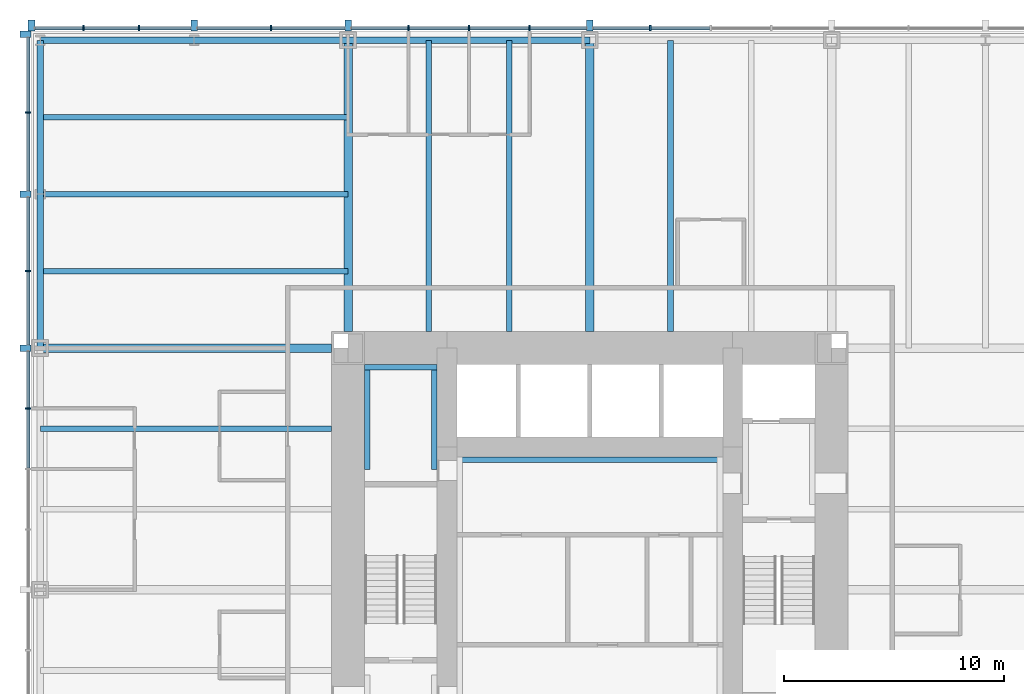
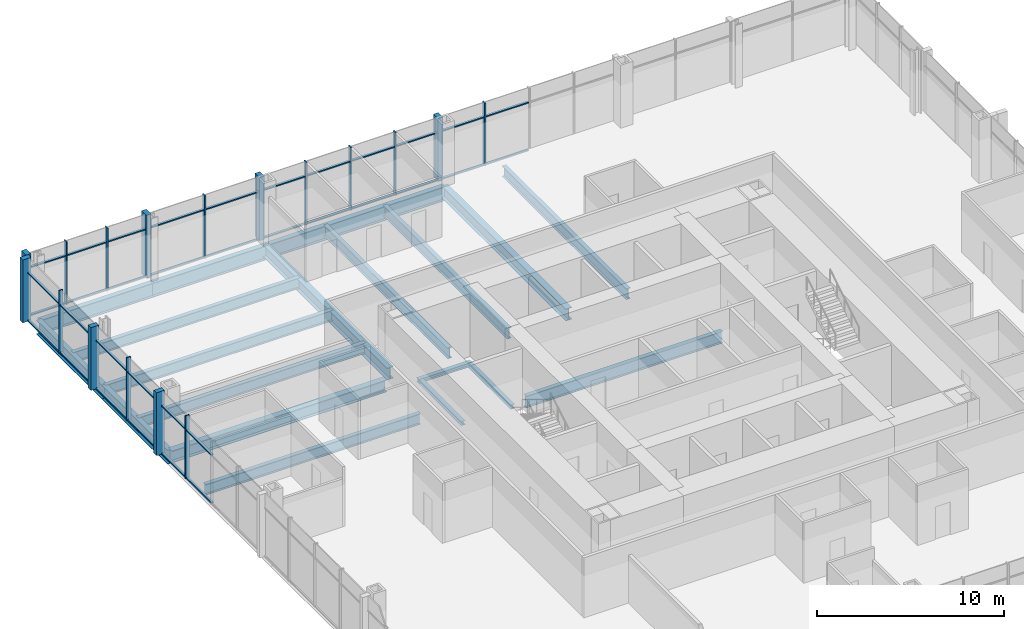
# One storey, part 5 of 12: 51 members, 19 beams, 2 elements without a shape of their own.
"""IFC4 building model written with IfcOpenShell, lengths in metres."""

from ifc_helpers import new_model, si_unit, direction, frame, origin, origin_2d, place, context, subcontext, project, spatial, rectangle, i_section, extrude, material, material_profile, profile_set, type_object, element, aggregate, save


model = new_model("IFC4")

# Units and contexts
model_context = context("Model", 3, precision=1e-05, world=origin(), true_north=direction((0.0, 1.0)))
body_context = subcontext(model_context, "Body", "Model", "MODEL_VIEW")
ifc_project = project(units=[si_unit("LENGTHUNIT", "METRE"), si_unit("AREAUNIT", "SQUARE_METRE"), si_unit("VOLUMEUNIT", "CUBIC_METRE"), si_unit("PLANEANGLEUNIT", "RADIAN"), si_unit("MASSUNIT", "GRAM", prefix="KILO")], contexts=[model_context])

# Site, building, storey
site_placement = place(None, origin())
site = spatial("IfcSite", under=ifc_project, at=site_placement, CompositionType="ELEMENT")
building_placement = place(site_placement, origin())
building = spatial("IfcBuilding", under=site, at=building_placement, Name="Trevanion Tower", CompositionType="ELEMENT")
storey_placement = place(building_placement, frame((0.0, 0.0, 32.39990234375)))
storey = spatial("IfcBuildingStorey", under=building, at=storey_placement, Name="L07", CompositionType="ELEMENT", Elevation=32.39990234375)

# Beams
ifc_material_1 = material(Name="Steel ASTM A992 Grade 50", Category="steel")
ifc_material_profile_1 = material_profile(ifc_material_1, i_section(OverallWidth=0.25390625, OverallDepth=0.700927734375, WebThickness=0.015380859375, FlangeThickness=0.02783203125, at=origin_2d()), Name="W27X129")
ifc_profile_set_1 = profile_set([ifc_material_profile_1], Name="Steel ASTM A992 Grade 50")
beam_type_1 = type_object("IfcBeamType", Name="B3 W27X129", PredefinedType="BEAM", material=ifc_profile_set_1)
for number, where, z_axis, x_axis, name in (
    (1, (3.666748046875, 11.75, -0.540283203125), (0.0, 1.0, 0.0), (-1.0, 0.0, 0.0), "B3 L07"),
    (2, (-3.666748046875, 11.75, -0.540283203125), (0.0, 1.0, 0.0), (-1.0, 0.0, 0.0), "B3 L07"),
    (3, (-7.333251953125, 11.75, -0.540283203125), (0.0, 1.0, 0.0), (-1.0, 0.0, 0.0), "B3 L07"),
    (4, (-11.75, 7.333251953125, -0.540283203125), (-1.0, 0.0, 0.0), (0.0, -1.0, 0.0), "B3 L07"),
):
    element("IfcBeam", number, at=place(storey_placement, frame(where, z_axis=z_axis, x_axis=x_axis)), inside=storey, type_object=beam_type_1, Name=name, PredefinedType="BEAM", context=body_context, shape_type="SweptSolid", body=[
        extrude(i_section(OverallWidth=0.25390625, OverallDepth=0.700927734375, WebThickness=0.015380859375, FlangeThickness=0.02783203125, at=origin_2d()), origin(), (0.0, 0.0, 1.0), 13.25),
    ])
ifc_material_2 = material(Name="Steel ASTM A992 Grade 50", Category="steel")
ifc_material_profile_2 = material_profile(ifc_material_2, i_section(OverallWidth=0.256591796875, OverallDepth=0.693359375, WebThickness=0.014404296875, FlangeThickness=0.023681640625, at=origin_2d()), Name="W27X114")
ifc_profile_set_2 = profile_set([ifc_material_profile_2], Name="Steel ASTM A992 Grade 50")
beam_type_2 = type_object("IfcBeamType", Name="B4 W27X114", PredefinedType="BEAM", material=ifc_profile_set_2)
for number, where, z_axis, x_axis, name in (
    (5, (-11.0, 14.5, -0.53662109375), (-1.0, 0.0, 0.0), (0.0, -1.0, 0.0), "B4 L07"),
    (6, (-11.0, 18.0, -0.53662109375), (-1.0, 0.0, 0.0), (0.0, -1.0, 0.0), "B4 L07"),
    (7, (-11.0, 21.5, -0.53662109375), (-1.0, 0.0, 0.0), (0.0, -1.0, 0.0), "B4 L07"),
):
    element("IfcBeam", number, at=place(storey_placement, frame(where, z_axis=z_axis, x_axis=x_axis)), inside=storey, type_object=beam_type_2, Name=name, PredefinedType="BEAM", context=body_context, shape_type="SweptSolid", body=[
        extrude(i_section(OverallWidth=0.256591796875, OverallDepth=0.693359375, WebThickness=0.014404296875, FlangeThickness=0.023681640625, at=origin_2d()), origin(), (0.0, 0.0, 1.0), 14.0),
    ])

# Curtain wall, members
ifc_material_3 = material(Name="Aluminium and glass", Category="aluminium")
curtain_wall_type = type_object("IfcCurtainWallType", Name="CW1 curtain wall", PredefinedType="USERDEFINED", material=ifc_material_3)
curtain_wall_1_placement = place(storey_placement, origin())
curtain_wall_1 = element("IfcCurtainWall", 8, at=curtain_wall_1_placement, inside=storey, type_object=curtain_wall_type, Name="CW1 L07 1", ObjectType="UNITISED CURTAIN WALL", PredefinedType="USERDEFINED")
ifc_material_4 = material(Name="Aluminium extrusion, anodised bronze", Category="aluminium")
ifc_material_profile_3 = material_profile(ifc_material_4, rectangle(XDim=0.074951171875, YDim=0.25, at=origin_2d()), Name="CW1 mullion")
ifc_profile_set_3 = profile_set([ifc_material_profile_3], Name="Aluminium extrusion, anodised bronze")
member_type_1 = type_object("IfcMemberType", Name="CW1 mullion", PredefinedType="MULLION", material=ifc_profile_set_3)
member_1_placement = place(storey_placement, frame((2.75, 25.550048828125, -0.18994140625), z_axis=(0.0, 0.0, 1.0), x_axis=(-1.0, 0.0, 0.0)))
member_1 = element("IfcMember", 9, at=member_1_placement, type_object=member_type_1, Name="CW1 mullion 8", PredefinedType="MULLION", context=body_context, shape_type="SweptSolid", body=[
    extrude(rectangle(XDim=0.074951171875, YDim=0.25, at=origin_2d()), origin(), (0.0, 0.0, 1.0), 4.10009765625),
])
member_2_placement = place(storey_placement, frame((-2.75, 25.550048828125, -0.18994140625), z_axis=(0.0, 0.0, 1.0), x_axis=(-1.0, 0.0, 0.0)))
member_2 = element("IfcMember", 10, at=member_2_placement, type_object=member_type_1, Name="CW1 mullion 10", PredefinedType="MULLION", context=body_context, shape_type="SweptSolid", body=[
    extrude(rectangle(XDim=0.074951171875, YDim=0.25, at=origin_2d()), origin(), (0.0, 0.0, 1.0), 4.10009765625),
])
member_3_placement = place(storey_placement, frame((-5.5, 25.550048828125, -0.18994140625), z_axis=(0.0, 0.0, 1.0), x_axis=(-1.0, 0.0, 0.0)))
member_3 = element("IfcMember", 11, at=member_3_placement, type_object=member_type_1, Name="CW1 mullion 11", PredefinedType="MULLION", context=body_context, shape_type="SweptSolid", body=[
    extrude(rectangle(XDim=0.074951171875, YDim=0.25, at=origin_2d()), origin(), (0.0, 0.0, 1.0), 4.10009765625),
])
member_4_placement = place(storey_placement, frame((-8.25, 25.550048828125, -0.18994140625), z_axis=(0.0, 0.0, 1.0), x_axis=(-1.0, 0.0, 0.0)))
member_4 = element("IfcMember", 12, at=member_4_placement, type_object=member_type_1, Name="CW1 mullion 12", PredefinedType="MULLION", context=body_context, shape_type="SweptSolid", body=[
    extrude(rectangle(XDim=0.074951171875, YDim=0.25, at=origin_2d()), origin(), (0.0, 0.0, 1.0), 4.10009765625),
])
member_5_placement = place(storey_placement, frame((-14.5, 25.550048828125, -0.18994140625), z_axis=(0.0, 0.0, 1.0), x_axis=(-1.0, 0.0, 0.0)))
member_5 = element("IfcMember", 13, at=member_5_placement, type_object=member_type_1, Name="CW1 mullion 14", PredefinedType="MULLION", context=body_context, shape_type="SweptSolid", body=[
    extrude(rectangle(XDim=0.074951171875, YDim=0.25, at=origin_2d()), origin(), (0.0, 0.0, 1.0), 4.10009765625),
])
member_6_placement = place(storey_placement, frame((-20.5166015625, 25.550048828125, -0.18994140625), z_axis=(0.0, 0.0, 1.0), x_axis=(-1.0, 0.0, 0.0)))
member_6 = element("IfcMember", 14, at=member_6_placement, type_object=member_type_1, Name="CW1 mullion 16", PredefinedType="MULLION", context=body_context, shape_type="SweptSolid", body=[
    extrude(rectangle(XDim=0.074951171875, YDim=0.25, at=origin_2d()), origin(), (0.0, 0.0, 1.0), 4.10009765625),
])
member_7_placement = place(storey_placement, frame((-23.033203125, 25.550048828125, -0.18994140625), z_axis=(0.0, 0.0, 1.0), x_axis=(-1.0, 0.0, 0.0)))
member_7 = element("IfcMember", 15, at=member_7_placement, type_object=member_type_1, Name="CW1 mullion 17", PredefinedType="MULLION", context=body_context, shape_type="SweptSolid", body=[
    extrude(rectangle(XDim=0.074951171875, YDim=0.25, at=origin_2d()), origin(), (0.0, 0.0, 1.0), 4.10009765625),
])

curtain_wall_2_placement = place(storey_placement, origin())
curtain_wall_2 = element("IfcCurtainWall", 16, at=curtain_wall_2_placement, inside=storey, type_object=curtain_wall_type, Name="CW1 L07 2", ObjectType="UNITISED CURTAIN WALL", PredefinedType="USERDEFINED")
member_8_placement = place(storey_placement, frame((-25.550048828125, 21.7099609375, -0.18994140625), z_axis=(0.0, 0.0, 1.0), x_axis=(0.0, -1.0, 0.0)))
member_8 = element("IfcMember", 17, at=member_8_placement, type_object=member_type_1, Name="CW1 mullion 2", PredefinedType="MULLION", context=body_context, shape_type="SweptSolid", body=[
    extrude(rectangle(XDim=0.074951171875, YDim=0.25, at=origin_2d()), origin(), (0.0, 0.0, 1.0), 4.10009765625),
])
member_9_placement = place(storey_placement, frame((-25.550048828125, 14.5, -0.18994140625), z_axis=(0.0, 0.0, 1.0), x_axis=(0.0, -1.0, 0.0)))
member_9 = element("IfcMember", 18, at=member_9_placement, type_object=member_type_1, Name="CW1 mullion 4", PredefinedType="MULLION", context=body_context, shape_type="SweptSolid", body=[
    extrude(rectangle(XDim=0.074951171875, YDim=0.25, at=origin_2d()), origin(), (0.0, 0.0, 1.0), 4.10009765625),
])
member_10_placement = place(storey_placement, frame((-25.550048828125, 8.25, -0.18994140625), z_axis=(0.0, 0.0, 1.0), x_axis=(0.0, -1.0, 0.0)))
member_10 = element("IfcMember", 19, at=member_10_placement, type_object=member_type_1, Name="CW1 mullion 6", PredefinedType="MULLION", context=body_context, shape_type="SweptSolid", body=[
    extrude(rectangle(XDim=0.074951171875, YDim=0.25, at=origin_2d()), origin(), (0.0, 0.0, 1.0), 4.10009765625),
])

# Member
ifc_material_5 = material(Name="Aluminium extrusion, anodised bronze", Category="aluminium")
ifc_material_profile_4 = material_profile(ifc_material_5, rectangle(XDim=0.300048828125, YDim=0.5, at=origin_2d()), Name="CW1 pier mullion")
ifc_profile_set_4 = profile_set([ifc_material_profile_4], Name="Aluminium extrusion, anodised bronze")
member_type_2 = type_object("IfcMemberType", Name="CW1 pier mullion", PredefinedType="MULLION", material=ifc_profile_set_4)
member_11_placement = place(storey_placement, frame((0.0, 25.675048828125, -0.18994140625), z_axis=(0.0, 0.0, 1.0), x_axis=(-1.0, 0.0, 0.0)))
member_11 = element("IfcMember", 20, at=member_11_placement, type_object=member_type_2, Name="CW1 pier mullion 9", PredefinedType="MULLION", context=body_context, shape_type="SweptSolid", body=[
    extrude(rectangle(XDim=0.300048828125, YDim=0.5, at=origin_2d()), origin(), (0.0, 0.0, 1.0), 4.10009765625),
])

member_12_placement = place(storey_placement, frame((-11.0, 25.675048828125, -0.18994140625), z_axis=(0.0, 0.0, 1.0), x_axis=(-1.0, 0.0, 0.0)))
member_12 = element("IfcMember", 21, at=member_12_placement, type_object=member_type_2, Name="CW1 pier mullion 13", PredefinedType="MULLION", context=body_context, shape_type="SweptSolid", body=[
    extrude(rectangle(XDim=0.300048828125, YDim=0.5, at=origin_2d()), origin(), (0.0, 0.0, 1.0), 4.10009765625),
])

member_13_placement = place(storey_placement, frame((-18.0, 25.675048828125, -0.18994140625), z_axis=(0.0, 0.0, 1.0), x_axis=(-1.0, 0.0, 0.0)))
member_13 = element("IfcMember", 22, at=member_13_placement, type_object=member_type_2, Name="CW1 pier mullion 15", PredefinedType="MULLION", context=body_context, shape_type="SweptSolid", body=[
    extrude(rectangle(XDim=0.300048828125, YDim=0.5, at=origin_2d()), origin(), (0.0, 0.0, 1.0), 4.10009765625),
])

member_14_placement = place(storey_placement, frame((-25.39990234375, 25.675048828125, -0.18994140625), z_axis=(0.0, 0.0, 1.0), x_axis=(-1.0, 0.0, 0.0)))
member_14 = element("IfcMember", 23, at=member_14_placement, type_object=member_type_2, Name="CW1 pier mullion 18", PredefinedType="MULLION", context=body_context, shape_type="SweptSolid", body=[
    extrude(rectangle(XDim=0.300048828125, YDim=0.5, at=origin_2d()), origin(), (0.0, 0.0, 1.0), 4.10009765625),
])

member_15_placement = place(storey_placement, frame((-25.675048828125, 25.27001953125, -0.18994140625), z_axis=(0.0, 0.0, 1.0), x_axis=(0.0, -1.0, 0.0)))
member_15 = element("IfcMember", 24, at=member_15_placement, type_object=member_type_2, Name="CW1 pier mullion 1", PredefinedType="MULLION", context=body_context, shape_type="SweptSolid", body=[
    extrude(rectangle(XDim=0.300048828125, YDim=0.5, at=origin_2d()), origin(), (0.0, 0.0, 1.0), 4.10009765625),
])

member_16_placement = place(storey_placement, frame((-25.675048828125, 18.0, -0.18994140625), z_axis=(0.0, 0.0, 1.0), x_axis=(0.0, -1.0, 0.0)))
member_16 = element("IfcMember", 25, at=member_16_placement, type_object=member_type_2, Name="CW1 pier mullion 3", PredefinedType="MULLION", context=body_context, shape_type="SweptSolid", body=[
    extrude(rectangle(XDim=0.300048828125, YDim=0.5, at=origin_2d()), origin(), (0.0, 0.0, 1.0), 4.10009765625),
])

member_17_placement = place(storey_placement, frame((-25.675048828125, 11.0, -0.18994140625), z_axis=(0.0, 0.0, 1.0), x_axis=(0.0, -1.0, 0.0)))
member_17 = element("IfcMember", 26, at=member_17_placement, type_object=member_type_2, Name="CW1 pier mullion 5", PredefinedType="MULLION", context=body_context, shape_type="SweptSolid", body=[
    extrude(rectangle(XDim=0.300048828125, YDim=0.5, at=origin_2d()), origin(), (0.0, 0.0, 1.0), 4.10009765625),
])

ifc_material_6 = material(Name="Aluminium extrusion, anodised bronze", Category="aluminium")
ifc_material_profile_5 = material_profile(ifc_material_6, rectangle(XDim=0.14990234375, YDim=0.074951171875, at=origin_2d()), Name="CW1 transom")
ifc_profile_set_5 = profile_set([ifc_material_profile_5], Name="Aluminium extrusion, anodised bronze")
member_type_3 = type_object("IfcMemberType", Name="CW1 transom", PredefinedType="USERDEFINED", material=ifc_profile_set_5)
member_18_placement = place(storey_placement, frame((5.46240234375, 25.550048828125, -0.15234375), z_axis=(-1.0, 0.0, 0.0), x_axis=(0.0, -1.0, 0.0)))
member_18 = element("IfcMember", 27, at=member_18_placement, type_object=member_type_3, Name="CW1 transom 7.1", ObjectType="TRANSOM", PredefinedType="USERDEFINED", context=body_context, shape_type="SweptSolid", body=[
    extrude(rectangle(XDim=0.14990234375, YDim=0.074951171875, at=origin_2d()), origin(), (0.0, 0.0, 1.0), 2.6748046875),
])

member_19_placement = place(storey_placement, frame((5.46240234375, 25.550048828125, 2.960205078125), z_axis=(-1.0, 0.0, 0.0), x_axis=(0.0, -1.0, 0.0)))
member_19 = element("IfcMember", 28, at=member_19_placement, type_object=member_type_3, Name="CW1 transom 7.2", ObjectType="TRANSOM", PredefinedType="USERDEFINED", context=body_context, shape_type="SweptSolid", body=[
    extrude(rectangle(XDim=0.14990234375, YDim=0.074951171875, at=origin_2d()), origin(), (0.0, 0.0, 1.0), 2.6748046875),
])

member_20_placement = place(storey_placement, frame((2.71240234375, 25.550048828125, -0.15234375), z_axis=(-1.0, 0.0, 0.0), x_axis=(0.0, -1.0, 0.0)))
member_20 = element("IfcMember", 29, at=member_20_placement, type_object=member_type_3, Name="CW1 transom 8.1", ObjectType="TRANSOM", PredefinedType="USERDEFINED", context=body_context, shape_type="SweptSolid", body=[
    extrude(rectangle(XDim=0.14990234375, YDim=0.074951171875, at=origin_2d()), origin(), (0.0, 0.0, 1.0), 2.5625),
])

member_21_placement = place(storey_placement, frame((2.71240234375, 25.550048828125, 2.960205078125), z_axis=(-1.0, 0.0, 0.0), x_axis=(0.0, -1.0, 0.0)))
member_21 = element("IfcMember", 30, at=member_21_placement, type_object=member_type_3, Name="CW1 transom 8.2", ObjectType="TRANSOM", PredefinedType="USERDEFINED", context=body_context, shape_type="SweptSolid", body=[
    extrude(rectangle(XDim=0.14990234375, YDim=0.074951171875, at=origin_2d()), origin(), (0.0, 0.0, 1.0), 2.5625),
])

member_22_placement = place(storey_placement, frame((-0.14990234375, 25.550048828125, -0.15234375), z_axis=(-1.0, 0.0, 0.0), x_axis=(0.0, -1.0, 0.0)))
member_22 = element("IfcMember", 31, at=member_22_placement, type_object=member_type_3, Name="CW1 transom 9.1", ObjectType="TRANSOM", PredefinedType="USERDEFINED", context=body_context, shape_type="SweptSolid", body=[
    extrude(rectangle(XDim=0.14990234375, YDim=0.074951171875, at=origin_2d()), origin(), (0.0, 0.0, 1.0), 2.5625),
])

member_23_placement = place(storey_placement, frame((-0.14990234375, 25.550048828125, 2.960205078125), z_axis=(-1.0, 0.0, 0.0), x_axis=(0.0, -1.0, 0.0)))
member_23 = element("IfcMember", 32, at=member_23_placement, type_object=member_type_3, Name="CW1 transom 9.2", ObjectType="TRANSOM", PredefinedType="USERDEFINED", context=body_context, shape_type="SweptSolid", body=[
    extrude(rectangle(XDim=0.14990234375, YDim=0.074951171875, at=origin_2d()), origin(), (0.0, 0.0, 1.0), 2.5625),
])

member_24_placement = place(storey_placement, frame((-2.78759765625, 25.550048828125, -0.15234375), z_axis=(-1.0, 0.0, 0.0), x_axis=(0.0, -1.0, 0.0)))
member_24 = element("IfcMember", 33, at=member_24_placement, type_object=member_type_3, Name="CW1 transom 10.1", ObjectType="TRANSOM", PredefinedType="USERDEFINED", context=body_context, shape_type="SweptSolid", body=[
    extrude(rectangle(XDim=0.14990234375, YDim=0.074951171875, at=origin_2d()), origin(), (0.0, 0.0, 1.0), 2.6748046875),
])

member_25_placement = place(storey_placement, frame((-2.78759765625, 25.550048828125, 2.960205078125), z_axis=(-1.0, 0.0, 0.0), x_axis=(0.0, -1.0, 0.0)))
member_25 = element("IfcMember", 34, at=member_25_placement, type_object=member_type_3, Name="CW1 transom 10.2", ObjectType="TRANSOM", PredefinedType="USERDEFINED", context=body_context, shape_type="SweptSolid", body=[
    extrude(rectangle(XDim=0.14990234375, YDim=0.074951171875, at=origin_2d()), origin(), (0.0, 0.0, 1.0), 2.6748046875),
])

member_26_placement = place(storey_placement, frame((-5.53759765625, 25.550048828125, -0.15234375), z_axis=(-1.0, 0.0, 0.0), x_axis=(0.0, -1.0, 0.0)))
member_26 = element("IfcMember", 35, at=member_26_placement, type_object=member_type_3, Name="CW1 transom 11.1", ObjectType="TRANSOM", PredefinedType="USERDEFINED", context=body_context, shape_type="SweptSolid", body=[
    extrude(rectangle(XDim=0.14990234375, YDim=0.074951171875, at=origin_2d()), origin(), (0.0, 0.0, 1.0), 2.6748046875),
])

member_27_placement = place(storey_placement, frame((-5.53759765625, 25.550048828125, 2.960205078125), z_axis=(-1.0, 0.0, 0.0), x_axis=(0.0, -1.0, 0.0)))
member_27 = element("IfcMember", 36, at=member_27_placement, type_object=member_type_3, Name="CW1 transom 11.2", ObjectType="TRANSOM", PredefinedType="USERDEFINED", context=body_context, shape_type="SweptSolid", body=[
    extrude(rectangle(XDim=0.14990234375, YDim=0.074951171875, at=origin_2d()), origin(), (0.0, 0.0, 1.0), 2.6748046875),
])

member_28_placement = place(storey_placement, frame((-8.28759765625, 25.550048828125, -0.15234375), z_axis=(-1.0, 0.0, 0.0), x_axis=(0.0, -1.0, 0.0)))
member_28 = element("IfcMember", 37, at=member_28_placement, type_object=member_type_3, Name="CW1 transom 12.1", ObjectType="TRANSOM", PredefinedType="USERDEFINED", context=body_context, shape_type="SweptSolid", body=[
    extrude(rectangle(XDim=0.14990234375, YDim=0.074951171875, at=origin_2d()), origin(), (0.0, 0.0, 1.0), 2.5625),
])

member_29_placement = place(storey_placement, frame((-8.28759765625, 25.550048828125, 2.960205078125), z_axis=(-1.0, 0.0, 0.0), x_axis=(0.0, -1.0, 0.0)))
member_29 = element("IfcMember", 38, at=member_29_placement, type_object=member_type_3, Name="CW1 transom 12.2", ObjectType="TRANSOM", PredefinedType="USERDEFINED", context=body_context, shape_type="SweptSolid", body=[
    extrude(rectangle(XDim=0.14990234375, YDim=0.074951171875, at=origin_2d()), origin(), (0.0, 0.0, 1.0), 2.5625),
])

member_30_placement = place(storey_placement, frame((-11.14990234375, 25.550048828125, -0.15234375), z_axis=(-1.0, 0.0, 0.0), x_axis=(0.0, -1.0, 0.0)))
member_30 = element("IfcMember", 39, at=member_30_placement, type_object=member_type_3, Name="CW1 transom 13.1", ObjectType="TRANSOM", PredefinedType="USERDEFINED", context=body_context, shape_type="SweptSolid", body=[
    extrude(rectangle(XDim=0.14990234375, YDim=0.074951171875, at=origin_2d()), origin(), (0.0, 0.0, 1.0), 3.3125),
])

member_31_placement = place(storey_placement, frame((-11.14990234375, 25.550048828125, 2.960205078125), z_axis=(-1.0, 0.0, 0.0), x_axis=(0.0, -1.0, 0.0)))
member_31 = element("IfcMember", 40, at=member_31_placement, type_object=member_type_3, Name="CW1 transom 13.2", ObjectType="TRANSOM", PredefinedType="USERDEFINED", context=body_context, shape_type="SweptSolid", body=[
    extrude(rectangle(XDim=0.14990234375, YDim=0.074951171875, at=origin_2d()), origin(), (0.0, 0.0, 1.0), 3.3125),
])

member_32_placement = place(storey_placement, frame((-14.53759765625, 25.550048828125, -0.15234375), z_axis=(-1.0, 0.0, 0.0), x_axis=(0.0, -1.0, 0.0)))
member_32 = element("IfcMember", 41, at=member_32_placement, type_object=member_type_3, Name="CW1 transom 14.1", ObjectType="TRANSOM", PredefinedType="USERDEFINED", context=body_context, shape_type="SweptSolid", body=[
    extrude(rectangle(XDim=0.14990234375, YDim=0.074951171875, at=origin_2d()), origin(), (0.0, 0.0, 1.0), 3.3125),
])

member_33_placement = place(storey_placement, frame((-14.53759765625, 25.550048828125, 2.960205078125), z_axis=(-1.0, 0.0, 0.0), x_axis=(0.0, -1.0, 0.0)))
member_33 = element("IfcMember", 42, at=member_33_placement, type_object=member_type_3, Name="CW1 transom 14.2", ObjectType="TRANSOM", PredefinedType="USERDEFINED", context=body_context, shape_type="SweptSolid", body=[
    extrude(rectangle(XDim=0.14990234375, YDim=0.074951171875, at=origin_2d()), origin(), (0.0, 0.0, 1.0), 3.3125),
])

member_34_placement = place(storey_placement, frame((-18.14990234375, 25.550048828125, -0.15234375), z_axis=(-1.0, 0.0, 0.0), x_axis=(0.0, -1.0, 0.0)))
member_34 = element("IfcMember", 43, at=member_34_placement, type_object=member_type_3, Name="CW1 transom 15.1", ObjectType="TRANSOM", PredefinedType="USERDEFINED", context=body_context, shape_type="SweptSolid", body=[
    extrude(rectangle(XDim=0.14990234375, YDim=0.074951171875, at=origin_2d()), origin(), (0.0, 0.0, 1.0), 2.329345703125),
])

member_35_placement = place(storey_placement, frame((-18.14990234375, 25.550048828125, 2.960205078125), z_axis=(-1.0, 0.0, 0.0), x_axis=(0.0, -1.0, 0.0)))
member_35 = element("IfcMember", 44, at=member_35_placement, type_object=member_type_3, Name="CW1 transom 15.2", ObjectType="TRANSOM", PredefinedType="USERDEFINED", context=body_context, shape_type="SweptSolid", body=[
    extrude(rectangle(XDim=0.14990234375, YDim=0.074951171875, at=origin_2d()), origin(), (0.0, 0.0, 1.0), 2.329345703125),
])

member_36_placement = place(storey_placement, frame((-20.55419921875, 25.550048828125, -0.15234375), z_axis=(-1.0, 0.0, 0.0), x_axis=(0.0, -1.0, 0.0)))
member_36 = element("IfcMember", 45, at=member_36_placement, type_object=member_type_3, Name="CW1 transom 16.1", ObjectType="TRANSOM", PredefinedType="USERDEFINED", context=body_context, shape_type="SweptSolid", body=[
    extrude(rectangle(XDim=0.14990234375, YDim=0.074951171875, at=origin_2d()), origin(), (0.0, 0.0, 1.0), 2.441650390625),
])

member_37_placement = place(storey_placement, frame((-20.55419921875, 25.550048828125, 2.960205078125), z_axis=(-1.0, 0.0, 0.0), x_axis=(0.0, -1.0, 0.0)))
member_37 = element("IfcMember", 46, at=member_37_placement, type_object=member_type_3, Name="CW1 transom 16.2", ObjectType="TRANSOM", PredefinedType="USERDEFINED", context=body_context, shape_type="SweptSolid", body=[
    extrude(rectangle(XDim=0.14990234375, YDim=0.074951171875, at=origin_2d()), origin(), (0.0, 0.0, 1.0), 2.441650390625),
])

member_38_placement = place(storey_placement, frame((-23.07080078125, 25.550048828125, -0.15234375), z_axis=(-1.0, 0.0, 0.0), x_axis=(0.0, -1.0, 0.0)))
member_38 = element("IfcMember", 47, at=member_38_placement, type_object=member_type_3, Name="CW1 transom 17.1", ObjectType="TRANSOM", PredefinedType="USERDEFINED", context=body_context, shape_type="SweptSolid", body=[
    extrude(rectangle(XDim=0.14990234375, YDim=0.074951171875, at=origin_2d()), origin(), (0.0, 0.0, 1.0), 2.17919921875),
])

member_39_placement = place(storey_placement, frame((-23.07080078125, 25.550048828125, 2.960205078125), z_axis=(-1.0, 0.0, 0.0), x_axis=(0.0, -1.0, 0.0)))
member_39 = element("IfcMember", 48, at=member_39_placement, type_object=member_type_3, Name="CW1 transom 17.2", ObjectType="TRANSOM", PredefinedType="USERDEFINED", context=body_context, shape_type="SweptSolid", body=[
    extrude(rectangle(XDim=0.14990234375, YDim=0.074951171875, at=origin_2d()), origin(), (0.0, 0.0, 1.0), 2.17919921875),
])

aggregate(curtain_wall_1, [member_1, member_11, member_2, member_3, member_4, member_12, member_5, member_13, member_6, member_7, member_14, member_18, member_19, member_20, member_21, member_22, member_23, member_24, member_25, member_26, member_27, member_28, member_29, member_30, member_31, member_32, member_33, member_34, member_35, member_36, member_37, member_38, member_39])

member_40_placement = place(storey_placement, frame((-25.550048828125, 25.1201171875, -0.15234375), z_axis=(0.0, -1.0, 0.0), x_axis=(1.0, 0.0, 0.0)))
member_40 = element("IfcMember", 49, at=member_40_placement, type_object=member_type_3, Name="CW1 transom 1.1", ObjectType="TRANSOM", PredefinedType="USERDEFINED", context=body_context, shape_type="SweptSolid", body=[
    extrude(rectangle(XDim=0.14990234375, YDim=0.074951171875, at=origin_2d()), origin(), (0.0, 0.0, 1.0), 3.37255859375),
])

member_41_placement = place(storey_placement, frame((-25.550048828125, 25.1201171875, 2.960205078125), z_axis=(0.0, -1.0, 0.0), x_axis=(1.0, 0.0, 0.0)))
member_41 = element("IfcMember", 50, at=member_41_placement, type_object=member_type_3, Name="CW1 transom 1.2", ObjectType="TRANSOM", PredefinedType="USERDEFINED", context=body_context, shape_type="SweptSolid", body=[
    extrude(rectangle(XDim=0.14990234375, YDim=0.074951171875, at=origin_2d()), origin(), (0.0, 0.0, 1.0), 3.37255859375),
])

member_42_placement = place(storey_placement, frame((-25.550048828125, 21.672607421875, -0.15234375), z_axis=(0.0, -1.0, 0.0), x_axis=(1.0, 0.0, 0.0)))
member_42 = element("IfcMember", 51, at=member_42_placement, type_object=member_type_3, Name="CW1 transom 2.1", ObjectType="TRANSOM", PredefinedType="USERDEFINED", context=body_context, shape_type="SweptSolid", body=[
    extrude(rectangle(XDim=0.14990234375, YDim=0.074951171875, at=origin_2d()), origin(), (0.0, 0.0, 1.0), 3.522705078125),
])

member_43_placement = place(storey_placement, frame((-25.550048828125, 21.672607421875, 2.960205078125), z_axis=(0.0, -1.0, 0.0), x_axis=(1.0, 0.0, 0.0)))
member_43 = element("IfcMember", 52, at=member_43_placement, type_object=member_type_3, Name="CW1 transom 2.2", ObjectType="TRANSOM", PredefinedType="USERDEFINED", context=body_context, shape_type="SweptSolid", body=[
    extrude(rectangle(XDim=0.14990234375, YDim=0.074951171875, at=origin_2d()), origin(), (0.0, 0.0, 1.0), 3.522705078125),
])

member_44_placement = place(storey_placement, frame((-25.550048828125, 17.85009765625, -0.15234375), z_axis=(0.0, -1.0, 0.0), x_axis=(1.0, 0.0, 0.0)))
member_44 = element("IfcMember", 53, at=member_44_placement, type_object=member_type_3, Name="CW1 transom 3.1", ObjectType="TRANSOM", PredefinedType="USERDEFINED", context=body_context, shape_type="SweptSolid", body=[
    extrude(rectangle(XDim=0.14990234375, YDim=0.074951171875, at=origin_2d()), origin(), (0.0, 0.0, 1.0), 3.3125),
])

member_45_placement = place(storey_placement, frame((-25.550048828125, 17.85009765625, 2.960205078125), z_axis=(0.0, -1.0, 0.0), x_axis=(1.0, 0.0, 0.0)))
member_45 = element("IfcMember", 54, at=member_45_placement, type_object=member_type_3, Name="CW1 transom 3.2", ObjectType="TRANSOM", PredefinedType="USERDEFINED", context=body_context, shape_type="SweptSolid", body=[
    extrude(rectangle(XDim=0.14990234375, YDim=0.074951171875, at=origin_2d()), origin(), (0.0, 0.0, 1.0), 3.3125),
])

member_46_placement = place(storey_placement, frame((-25.550048828125, 14.46240234375, -0.15234375), z_axis=(0.0, -1.0, 0.0), x_axis=(1.0, 0.0, 0.0)))
member_46 = element("IfcMember", 55, at=member_46_placement, type_object=member_type_3, Name="CW1 transom 4.1", ObjectType="TRANSOM", PredefinedType="USERDEFINED", context=body_context, shape_type="SweptSolid", body=[
    extrude(rectangle(XDim=0.14990234375, YDim=0.074951171875, at=origin_2d()), origin(), (0.0, 0.0, 1.0), 3.3125),
])

member_47_placement = place(storey_placement, frame((-25.550048828125, 14.46240234375, 2.960205078125), z_axis=(0.0, -1.0, 0.0), x_axis=(1.0, 0.0, 0.0)))
member_47 = element("IfcMember", 56, at=member_47_placement, type_object=member_type_3, Name="CW1 transom 4.2", ObjectType="TRANSOM", PredefinedType="USERDEFINED", context=body_context, shape_type="SweptSolid", body=[
    extrude(rectangle(XDim=0.14990234375, YDim=0.074951171875, at=origin_2d()), origin(), (0.0, 0.0, 1.0), 3.3125),
])

member_48_placement = place(storey_placement, frame((-25.550048828125, 10.85009765625, -0.15234375), z_axis=(0.0, -1.0, 0.0), x_axis=(1.0, 0.0, 0.0)))
member_48 = element("IfcMember", 57, at=member_48_placement, type_object=member_type_3, Name="CW1 transom 5.1", ObjectType="TRANSOM", PredefinedType="USERDEFINED", context=body_context, shape_type="SweptSolid", body=[
    extrude(rectangle(XDim=0.14990234375, YDim=0.074951171875, at=origin_2d()), origin(), (0.0, 0.0, 1.0), 2.5625),
])

member_49_placement = place(storey_placement, frame((-25.550048828125, 10.85009765625, 2.960205078125), z_axis=(0.0, -1.0, 0.0), x_axis=(1.0, 0.0, 0.0)))
member_49 = element("IfcMember", 58, at=member_49_placement, type_object=member_type_3, Name="CW1 transom 5.2", ObjectType="TRANSOM", PredefinedType="USERDEFINED", context=body_context, shape_type="SweptSolid", body=[
    extrude(rectangle(XDim=0.14990234375, YDim=0.074951171875, at=origin_2d()), origin(), (0.0, 0.0, 1.0), 2.5625),
])

member_50_placement = place(storey_placement, frame((-25.550048828125, 8.21240234375, -0.15234375), z_axis=(0.0, -1.0, 0.0), x_axis=(1.0, 0.0, 0.0)))
member_50 = element("IfcMember", 59, at=member_50_placement, type_object=member_type_3, Name="CW1 transom 6.1", ObjectType="TRANSOM", PredefinedType="USERDEFINED", context=body_context, shape_type="SweptSolid", body=[
    extrude(rectangle(XDim=0.14990234375, YDim=0.074951171875, at=origin_2d()), origin(), (0.0, 0.0, 1.0), 2.6748046875),
])

member_51_placement = place(storey_placement, frame((-25.550048828125, 8.21240234375, 2.960205078125), z_axis=(0.0, -1.0, 0.0), x_axis=(1.0, 0.0, 0.0)))
member_51 = element("IfcMember", 60, at=member_51_placement, type_object=member_type_3, Name="CW1 transom 6.2", ObjectType="TRANSOM", PredefinedType="USERDEFINED", context=body_context, shape_type="SweptSolid", body=[
    extrude(rectangle(XDim=0.14990234375, YDim=0.074951171875, at=origin_2d()), origin(), (0.0, 0.0, 1.0), 2.6748046875),
])

aggregate(curtain_wall_2, [member_15, member_8, member_16, member_9, member_17, member_10, member_40, member_41, member_42, member_43, member_44, member_45, member_46, member_47, member_48, member_49, member_50, member_51])

# Beams
ifc_material_7 = material(Name="Steel ASTM A992 Grade 50", Category="steel")
ifc_material_profile_6 = material_profile(ifc_material_7, i_section(OverallWidth=0.381103515625, OverallDepth=0.77978515625, WebThickness=0.01806640625, FlangeThickness=0.0302734375, at=origin_2d()), Name="W30X191")
ifc_profile_set_6 = profile_set([ifc_material_profile_6], Name="Steel ASTM A992 Grade 50")
beam_type_3 = type_object("IfcBeamType", Name="G2 W30X191", PredefinedType="BEAM", material=ifc_profile_set_6)
for number, where, z_axis, x_axis, name in (
    (61, (0.0, 11.75, -0.579833984375), (0.0, 1.0, 0.0), (-1.0, 0.0, 0.0), "G2 L07"),
    (62, (-11.0, 11.75, -0.579833984375), (0.0, 1.0, 0.0), (-1.0, 0.0, 0.0), "G2 L07"),
    (63, (-11.75, 11.0, -0.579833984375), (-1.0, 0.0, 0.0), (0.0, -1.0, 0.0), "G2 L07"),
):
    element("IfcBeam", number, at=place(storey_placement, frame(where, z_axis=z_axis, x_axis=x_axis)), inside=storey, type_object=beam_type_3, Name=name, PredefinedType="BEAM", context=body_context, shape_type="SweptSolid", body=[
        extrude(i_section(OverallWidth=0.381103515625, OverallDepth=0.77978515625, WebThickness=0.01806640625, FlangeThickness=0.0302734375, at=origin_2d()), origin(), (0.0, 0.0, 1.0), 13.25),
    ])
ifc_material_8 = material(Name="Steel ASTM A992 Grade 50", Category="steel")
ifc_material_profile_7 = material_profile(ifc_material_8, i_section(OverallWidth=0.256591796875, OverallDepth=0.26416015625, WebThickness=0.011962890625, FlangeThickness=0.01953125, at=origin_2d()), Name="W10X68")
ifc_profile_set_7 = profile_set([ifc_material_profile_7], Name="Steel ASTM A992 Grade 50")
beam_type_4 = type_object("IfcBeamType", Name="LB1 W10X68", PredefinedType="BEAM", material=ifc_profile_set_7)
for number, where, z_axis, x_axis, name in (
    (64, (-10.12158203125, 5.47509765625, -0.33203125), (0.0, 1.0, 0.0), (-1.0, 0.0, 0.0), "LB1 L07"),
    (65, (-7.078369140625, 5.47509765625, -0.33203125), (0.0, 1.0, 0.0), (-1.0, 0.0, 0.0), "LB1 L07"),
):
    element("IfcBeam", number, at=place(storey_placement, frame(where, z_axis=z_axis, x_axis=x_axis)), inside=storey, type_object=beam_type_4, Name=name, PredefinedType="BEAM", context=body_context, shape_type="SweptSolid", body=[
        extrude(i_section(OverallWidth=0.256591796875, OverallDepth=0.26416015625, WebThickness=0.011962890625, FlangeThickness=0.01953125, at=origin_2d()), origin(), (0.0, 0.0, 1.0), 4.77490234375),
    ])
beam_1_placement = place(storey_placement, frame((-10.25, 10.12158203125, -0.33203125), z_axis=(1.0, 0.0, 0.0), x_axis=(0.0, 1.0, 0.0)))
element("IfcBeam", 66, at=beam_1_placement, inside=storey, type_object=beam_type_4, Name="LB1 L07", PredefinedType="BEAM", context=body_context, shape_type="SweptSolid", body=[
    extrude(i_section(OverallWidth=0.256591796875, OverallDepth=0.26416015625, WebThickness=0.011962890625, FlangeThickness=0.01953125, at=origin_2d()), origin(), (0.0, 0.0, 1.0), 3.300048828125),
])
ifc_material_9 = material(Name="Steel ASTM A992 Grade 50", Category="steel")
ifc_material_profile_8 = material_profile(ifc_material_9, i_section(OverallWidth=0.2666015625, OverallDepth=0.76953125, WebThickness=0.015625, FlangeThickness=0.025390625, at=origin_2d()), Name="W30X132")
ifc_profile_set_8 = profile_set([ifc_material_profile_8], Name="Steel ASTM A992 Grade 50")
beam_type_5 = type_object("IfcBeamType", Name="LB3 W30X132", PredefinedType="BEAM", material=ifc_profile_set_8)
beam_2_placement = place(storey_placement, frame((-6.050048828125, 5.91650390625, -0.584716796875), z_axis=(1.0, 0.0, 0.0), x_axis=(0.0, 1.0, 0.0)))
element("IfcBeam", 67, at=beam_2_placement, inside=storey, type_object=beam_type_5, Name="LB3 L07", PredefinedType="BEAM", context=body_context, shape_type="SweptSolid", body=[
    extrude(i_section(OverallWidth=0.2666015625, OverallDepth=0.76953125, WebThickness=0.015625, FlangeThickness=0.025390625, at=origin_2d()), origin(), (0.0, 0.0, 1.0), 12.10009765625),
])
ifc_material_10 = material(Name="Steel ASTM A992 Grade 50", Category="steel")
ifc_material_profile_9 = material_profile(ifc_material_10, i_section(OverallWidth=0.307373046875, OverallDepth=0.927001953125, WebThickness=0.01953125, FlangeThickness=0.031982421875, at=origin_2d()), Name="W36X194")
ifc_profile_set_9 = profile_set([ifc_material_profile_9], Name="Steel ASTM A992 Grade 50")
beam_type_6 = type_object("IfcBeamType", Name="SB2 W36X194", PredefinedType="SPANDREL", material=ifc_profile_set_9)
beam_3_placement = place(storey_placement, frame((0.0, 25.0, -0.653564453125), z_axis=(-1.0, 0.0, 0.0), x_axis=(0.0, -1.0, 0.0)))
element("IfcBeam", 68, at=beam_3_placement, inside=storey, type_object=beam_type_6, Name="SB2 L07", PredefinedType="SPANDREL", context=body_context, shape_type="SweptSolid", body=[
    extrude(i_section(OverallWidth=0.307373046875, OverallDepth=0.927001953125, WebThickness=0.01953125, FlangeThickness=0.031982421875, at=origin_2d()), origin(), (0.0, 0.0, 1.0), 11.0),
])
for number, where, z_axis, x_axis, name in (
    (69, (-11.0, 25.0, -0.653564453125), (-1.0, 0.0, 0.0), (0.0, -1.0, 0.0), "SB2 L07"),
    (70, (-18.0, 25.0, -0.653564453125), (-1.0, 0.0, 0.0), (0.0, -1.0, 0.0), "SB2 L07"),
    (71, (-25.0, 25.0, -0.653564453125), (0.0, -1.0, 0.0), (1.0, 0.0, 0.0), "SB2 L07"),
    (72, (-25.0, 18.0, -0.653564453125), (0.0, -1.0, 0.0), (1.0, 0.0, 0.0), "SB2 L07"),
):
    element("IfcBeam", number, at=place(storey_placement, frame(where, z_axis=z_axis, x_axis=x_axis)), inside=storey, type_object=beam_type_6, Name=name, PredefinedType="SPANDREL", context=body_context, shape_type="SweptSolid", body=[
        extrude(i_section(OverallWidth=0.307373046875, OverallDepth=0.927001953125, WebThickness=0.01953125, FlangeThickness=0.031982421875, at=origin_2d()), origin(), (0.0, 0.0, 1.0), 7.0),
    ])

save(model, "model.ifc")
